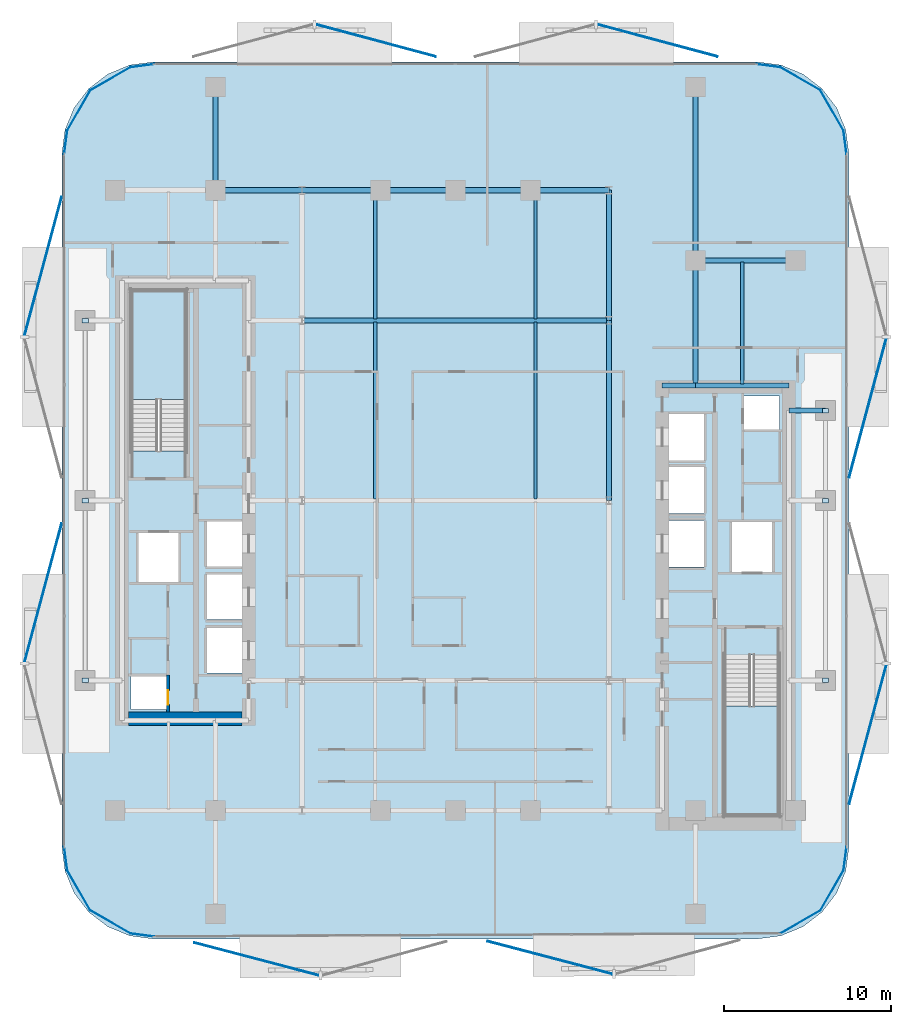
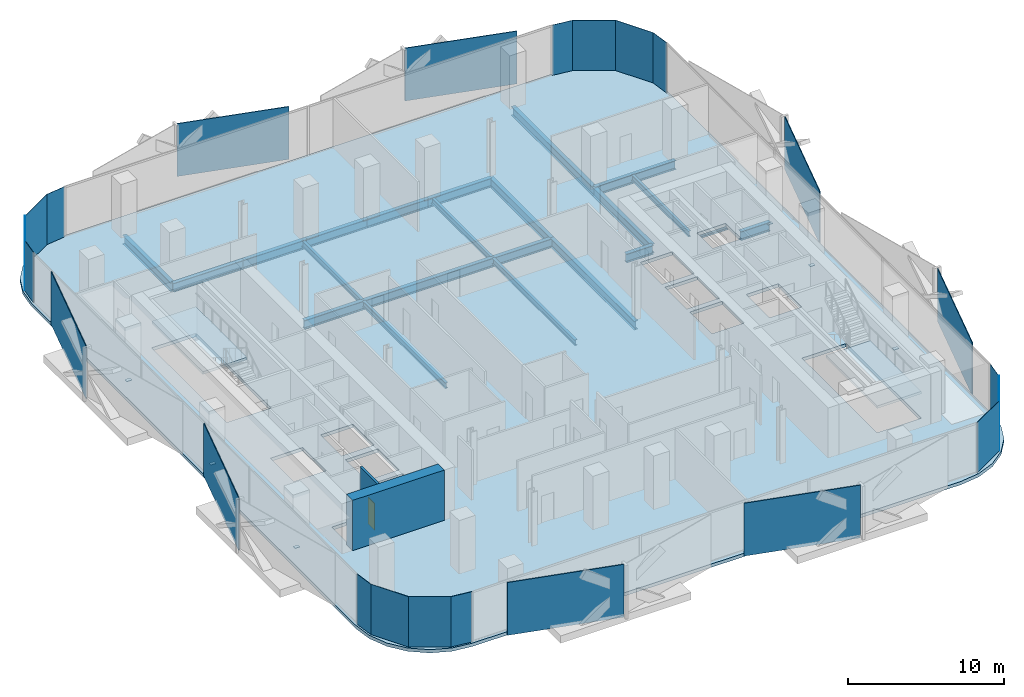
# One storey, part 2 of 16: 29 plates, 20 beams, 3 slabs, 2 walls, 1 door, 1 opening, 2 elements without a shape of their own.
"""IFC4 building model written with IfcOpenShell, lengths in metres."""

from ifc_helpers import new_model, si_unit, direction, frame, frame_2d, origin, origin_2d, place, context, subcontext, project, spatial, polyline, rectangle, i_section, outline, extrude, material, layer, layer_set, material_profile, profile_set, type_object, element, fill, aggregate, save


model = new_model("IFC4")

# Units and contexts
model_context = context("Model", 3, precision=1e-05, world=origin(), true_north=direction((0.0, 1.0)))
body_context = subcontext(model_context, "Body", "Model", "MODEL_VIEW")
ifc_project = project(units=[si_unit("LENGTHUNIT", "METRE"), si_unit("AREAUNIT", "SQUARE_METRE"), si_unit("VOLUMEUNIT", "CUBIC_METRE"), si_unit("PLANEANGLEUNIT", "RADIAN"), si_unit("MASSUNIT", "GRAM", prefix="KILO")], contexts=[model_context])

# Site, building, storey
site_placement = place(None, origin())
site = spatial("IfcSite", under=ifc_project, at=site_placement, CompositionType="ELEMENT")
building_placement = place(site_placement, origin())
building = spatial("IfcBuilding", under=site, at=building_placement, Name="Khairoan Windgate Tower", CompositionType="ELEMENT")
storey_placement = place(building_placement, frame((0.0, 0.0, 97.39990234375)))
storey = spatial("IfcBuildingStorey", under=building, at=storey_placement, Name="L22", CompositionType="ELEMENT", Elevation=97.39990234375)

# Beams
ifc_material_1 = material(Name="Steel S355", Category="steel")
ifc_material_profile_1 = material_profile(ifc_material_1, i_section(OverallWidth=0.300048828125, OverallDepth=0.699951171875, WebThickness=0.012939453125, FlangeThickness=0.02392578125, FilletRadius=0.02587890625, at=origin_2d()))
ifc_profile_set_1 = profile_set([ifc_material_profile_1], Name="Steel S355")
beam_type_1 = type_object("IfcBeamType", Name="Beam B-G3 H700x300x13x24", PredefinedType="BEAM", material=ifc_profile_set_1)
beam_1_placement = place(storey_placement, frame((20.0, 5.39990234375, -0.60986328125), z_axis=(1.0, 0.0, 0.0), x_axis=(0.0, 1.0, 0.0)))
element("IfcBeam", 1, at=beam_1_placement, inside=storey, type_object=beam_type_1, Name="L22 E-W Primary Girder 19", PredefinedType="BEAM", context=body_context, shape_type="SweptSolid", body=[
    extrude(i_section(OverallWidth=0.300048828125, OverallDepth=0.699951171875, WebThickness=0.012939453125, FlangeThickness=0.02392578125, FilletRadius=0.02587890625, at=origin_2d()), origin(), (0.0, 0.0, 1.0), 2.199951171875),
])
beam_2_placement = place(storey_placement, frame((12.39990234375, 6.89990234375, -0.60986328125), z_axis=(1.0, 0.0, 0.0), x_axis=(0.0, 1.0, 0.0)))
element("IfcBeam", 2, at=beam_2_placement, inside=storey, type_object=beam_type_1, Name="L22 E-W Primary Girder 20", PredefinedType="BEAM", context=body_context, shape_type="SweptSolid", body=[
    extrude(i_section(OverallWidth=0.300048828125, OverallDepth=0.699951171875, WebThickness=0.012939453125, FlangeThickness=0.02392578125, FilletRadius=0.02587890625, at=origin_2d()), origin(), (0.0, 0.0, 1.0), 2.0),
])
beam_3_placement = place(storey_placement, frame((14.39990234375, 6.89990234375, -0.60986328125), z_axis=(1.0, 0.0, 0.0), x_axis=(0.0, 1.0, 0.0)))
element("IfcBeam", 3, at=beam_3_placement, inside=storey, type_object=beam_type_1, Name="L22 E-W Primary Girder 21", PredefinedType="BEAM", context=body_context, shape_type="SweptSolid", body=[
    extrude(i_section(OverallWidth=0.300048828125, OverallDepth=0.699951171875, WebThickness=0.012939453125, FlangeThickness=0.02392578125, FilletRadius=0.02587890625, at=origin_2d()), origin(), (0.0, 0.0, 1.0), 5.60009765625),
])
beam_4_placement = place(storey_placement, frame((-9.199951171875, 10.800048828125, -0.60986328125), z_axis=(1.0, 0.0, 0.0), x_axis=(0.0, 1.0, 0.0)))
element("IfcBeam", 4, at=beam_4_placement, inside=storey, type_object=beam_type_1, Name="L22 E-W Primary Girder 24", PredefinedType="BEAM", context=body_context, shape_type="SweptSolid", body=[
    extrude(i_section(OverallWidth=0.300048828125, OverallDepth=0.699951171875, WebThickness=0.012939453125, FlangeThickness=0.02392578125, FilletRadius=0.02587890625, at=origin_2d()), origin(), (0.0, 0.0, 1.0), 18.39990234375),
])
beam_5_placement = place(storey_placement, frame((14.39990234375, 14.39990234375, -0.60986328125), z_axis=(1.0, 0.0, 0.0), x_axis=(0.0, 1.0, 0.0)))
element("IfcBeam", 5, at=beam_5_placement, inside=storey, type_object=beam_type_1, Name="L22 E-W Primary Girder 27", PredefinedType="BEAM", context=body_context, shape_type="SweptSolid", body=[
    extrude(i_section(OverallWidth=0.300048828125, OverallDepth=0.699951171875, WebThickness=0.012939453125, FlangeThickness=0.02392578125, FilletRadius=0.02587890625, at=origin_2d()), origin(), (0.0, 0.0, 1.0), 6.0),
])
beam_6_placement = place(storey_placement, frame((-14.39990234375, 18.60009765625, -0.60986328125), z_axis=(1.0, 0.0, 0.0), x_axis=(0.0, 1.0, 0.0)))
element("IfcBeam", 6, at=beam_6_placement, inside=storey, type_object=beam_type_1, Name="L22 E-W Primary Girder 29", PredefinedType="BEAM", context=body_context, shape_type="SweptSolid", body=[
    extrude(i_section(OverallWidth=0.300048828125, OverallDepth=0.699951171875, WebThickness=0.012939453125, FlangeThickness=0.02392578125, FilletRadius=0.02587890625, at=origin_2d()), origin(), (0.0, 0.0, 1.0), 5.199951171875),
])
beam_7_placement = place(storey_placement, frame((-9.199951171875, 18.60009765625, -0.60986328125), z_axis=(1.0, 0.0, 0.0), x_axis=(0.0, 1.0, 0.0)))
element("IfcBeam", 7, at=beam_7_placement, inside=storey, type_object=beam_type_1, Name="L22 E-W Primary Girder 30", PredefinedType="BEAM", context=body_context, shape_type="SweptSolid", body=[
    extrude(i_section(OverallWidth=0.300048828125, OverallDepth=0.699951171875, WebThickness=0.012939453125, FlangeThickness=0.02392578125, FilletRadius=0.02587890625, at=origin_2d()), origin(), (0.0, 0.0, 1.0), 4.699951171875),
])
for number, where, z_axis, x_axis, name in (
    (8, (-4.5, 18.60009765625, -0.60986328125), (1.0, 0.0, 0.0), (0.0, 1.0, 0.0), "L22 E-W Primary Girder 31"),
    (9, (0.0, 18.60009765625, -0.60986328125), (1.0, 0.0, 0.0), (0.0, 1.0, 0.0), "L22 E-W Primary Girder 32"),
):
    element("IfcBeam", number, at=place(storey_placement, frame(where, z_axis=z_axis, x_axis=x_axis)), inside=storey, type_object=beam_type_1, Name=name, PredefinedType="BEAM", context=body_context, shape_type="SweptSolid", body=[
        extrude(i_section(OverallWidth=0.300048828125, OverallDepth=0.699951171875, WebThickness=0.012939453125, FlangeThickness=0.02392578125, FilletRadius=0.02587890625, at=origin_2d()), origin(), (0.0, 0.0, 1.0), 4.5),
    ])
beam_8_placement = place(storey_placement, frame((4.5, 18.60009765625, -0.60986328125), z_axis=(1.0, 0.0, 0.0), x_axis=(0.0, 1.0, 0.0)))
element("IfcBeam", 10, at=beam_8_placement, inside=storey, type_object=beam_type_1, Name="L22 E-W Primary Girder 33", PredefinedType="BEAM", context=body_context, shape_type="SweptSolid", body=[
    extrude(i_section(OverallWidth=0.300048828125, OverallDepth=0.699951171875, WebThickness=0.012939453125, FlangeThickness=0.02392578125, FilletRadius=0.02587890625, at=origin_2d()), origin(), (0.0, 0.0, 1.0), 4.699951171875),
])
beam_9_placement = place(storey_placement, frame((-14.39990234375, 18.60009765625, -0.60986328125), z_axis=(0.0, 1.0, 0.0), x_axis=(-1.0, 0.0, 0.0)))
element("IfcBeam", 11, at=beam_9_placement, inside=storey, type_object=beam_type_1, Name="L22 N-S Primary Beam 43", PredefinedType="BEAM", context=body_context, shape_type="SweptSolid", body=[
    extrude(i_section(OverallWidth=0.300048828125, OverallDepth=0.699951171875, WebThickness=0.012939453125, FlangeThickness=0.02392578125, FilletRadius=0.02587890625, at=origin_2d()), origin(), (0.0, 0.0, 1.0), 6.199951171875),
])
beam_10_placement = place(storey_placement, frame((9.199951171875, 0.0, -0.60986328125), z_axis=(0.0, 1.0, 0.0), x_axis=(-1.0, 0.0, 0.0)))
element("IfcBeam", 12, at=beam_10_placement, inside=storey, type_object=beam_type_1, Name="L22 N-S Primary Beam 53", PredefinedType="BEAM", context=body_context, shape_type="SweptSolid", body=[
    extrude(i_section(OverallWidth=0.300048828125, OverallDepth=0.699951171875, WebThickness=0.012939453125, FlangeThickness=0.02392578125, FilletRadius=0.02587890625, at=origin_2d()), origin(), (0.0, 0.0, 1.0), 10.800048828125),
])
beam_11_placement = place(storey_placement, frame((9.199951171875, 10.800048828125, -0.60986328125), z_axis=(0.0, 1.0, 0.0), x_axis=(-1.0, 0.0, 0.0)))
element("IfcBeam", 13, at=beam_11_placement, inside=storey, type_object=beam_type_1, Name="L22 N-S Primary Beam 54", PredefinedType="BEAM", context=body_context, shape_type="SweptSolid", body=[
    extrude(i_section(OverallWidth=0.300048828125, OverallDepth=0.699951171875, WebThickness=0.012939453125, FlangeThickness=0.02392578125, FilletRadius=0.02587890625, at=origin_2d()), origin(), (0.0, 0.0, 1.0), 7.800048828125),
])
beam_12_placement = place(storey_placement, frame((14.39990234375, 6.89990234375, -0.60986328125), z_axis=(0.0, 1.0, 0.0), x_axis=(-1.0, 0.0, 0.0)))
element("IfcBeam", 14, at=beam_12_placement, inside=storey, type_object=beam_type_1, Name="L22 N-S Primary Beam 57", PredefinedType="BEAM", context=body_context, shape_type="SweptSolid", body=[
    extrude(i_section(OverallWidth=0.300048828125, OverallDepth=0.699951171875, WebThickness=0.012939453125, FlangeThickness=0.02392578125, FilletRadius=0.02587890625, at=origin_2d()), origin(), (0.0, 0.0, 1.0), 7.5),
])
beam_13_placement = place(storey_placement, frame((14.39990234375, 14.39990234375, -0.60986328125), z_axis=(0.0, 1.0, 0.0), x_axis=(-1.0, 0.0, 0.0)))
element("IfcBeam", 15, at=beam_13_placement, inside=storey, type_object=beam_type_1, Name="L22 N-S Primary Beam 58", PredefinedType="BEAM", context=body_context, shape_type="SweptSolid", body=[
    extrude(i_section(OverallWidth=0.300048828125, OverallDepth=0.699951171875, WebThickness=0.012939453125, FlangeThickness=0.02392578125, FilletRadius=0.02587890625, at=origin_2d()), origin(), (0.0, 0.0, 1.0), 10.400146484375),
])
ifc_material_2 = material(Name="Steel S355", Category="steel")
ifc_material_profile_2 = material_profile(ifc_material_2, i_section(OverallWidth=0.199951171875, OverallDepth=0.449951171875, WebThickness=0.009033203125, FlangeThickness=0.013916015625, FilletRadius=0.01806640625, at=origin_2d()))
ifc_profile_set_2 = profile_set([ifc_material_profile_2], Name="Steel S355")
beam_type_2 = type_object("IfcBeamType", Name="Beam J-S3 H450x200x9x14", PredefinedType="JOIST", material=ifc_profile_set_2)
beam_14_placement = place(storey_placement, frame((-4.800048828125, 0.090087890625, -0.48486328125), z_axis=(0.0, 1.0, 0.0), x_axis=(-1.0, 0.0, 0.0)))
element("IfcBeam", 16, at=beam_14_placement, inside=storey, type_object=beam_type_2, Name="L22 Secondary Floor Joist 05", PredefinedType="JOIST", context=body_context, shape_type="SweptSolid", body=[
    extrude(i_section(OverallWidth=0.199951171875, OverallDepth=0.449951171875, WebThickness=0.009033203125, FlangeThickness=0.013916015625, FilletRadius=0.01806640625, at=origin_2d()), origin(), (0.0, 0.0, 1.0), 10.619873046875),
])
beam_15_placement = place(storey_placement, frame((-4.800048828125, 10.889892578125, -0.48486328125), z_axis=(0.0, 1.0, 0.0), x_axis=(-1.0, 0.0, 0.0)))
element("IfcBeam", 17, at=beam_15_placement, inside=storey, type_object=beam_type_2, Name="L22 Secondary Floor Joist 06", PredefinedType="JOIST", context=body_context, shape_type="SweptSolid", body=[
    extrude(i_section(OverallWidth=0.199951171875, OverallDepth=0.449951171875, WebThickness=0.009033203125, FlangeThickness=0.013916015625, FilletRadius=0.01806640625, at=origin_2d()), origin(), (0.0, 0.0, 1.0), 7.6201171875),
])
beam_16_placement = place(storey_placement, frame((4.800048828125, 0.090087890625, -0.48486328125), z_axis=(0.0, 1.0, 0.0), x_axis=(-1.0, 0.0, 0.0)))
element("IfcBeam", 18, at=beam_16_placement, inside=storey, type_object=beam_type_2, Name="L22 Secondary Floor Joist 09", PredefinedType="JOIST", context=body_context, shape_type="SweptSolid", body=[
    extrude(i_section(OverallWidth=0.199951171875, OverallDepth=0.449951171875, WebThickness=0.009033203125, FlangeThickness=0.013916015625, FilletRadius=0.01806640625, at=origin_2d()), origin(), (0.0, 0.0, 1.0), 10.619873046875),
])
beam_17_placement = place(storey_placement, frame((4.800048828125, 10.889892578125, -0.48486328125), z_axis=(0.0, 1.0, 0.0), x_axis=(-1.0, 0.0, 0.0)))
element("IfcBeam", 19, at=beam_17_placement, inside=storey, type_object=beam_type_2, Name="L22 Secondary Floor Joist 10", PredefinedType="JOIST", context=body_context, shape_type="SweptSolid", body=[
    extrude(i_section(OverallWidth=0.199951171875, OverallDepth=0.449951171875, WebThickness=0.009033203125, FlangeThickness=0.013916015625, FilletRadius=0.01806640625, at=origin_2d()), origin(), (0.0, 0.0, 1.0), 7.6201171875),
])
beam_18_placement = place(storey_placement, frame((17.199951171875, 6.989990234375, -0.48486328125), z_axis=(0.0, 1.0, 0.0), x_axis=(-1.0, 0.0, 0.0)))
element("IfcBeam", 20, at=beam_18_placement, inside=storey, type_object=beam_type_2, Name="L22 Secondary Floor Joist 11", PredefinedType="JOIST", context=body_context, shape_type="SweptSolid", body=[
    extrude(i_section(OverallWidth=0.199951171875, OverallDepth=0.449951171875, WebThickness=0.009033203125, FlangeThickness=0.013916015625, FilletRadius=0.01806640625, at=origin_2d()), origin(), (0.0, 0.0, 1.0), 7.320068359375),
])

# Plates
ifc_material_3 = material(Name="Low-E Solar Control Laminated Glass", Category="glass")
ifc_layer_1 = layer(ifc_material_3, 0.030029296875, Name="Low-E Solar Control Laminated Glass")
ifc_layer_set_1 = layer_set([ifc_layer_1], Name="Low-E Solar Control Laminated Glass")
plate_type_1 = type_object("IfcPlateType", Name="Aerodynamic Wind-Corner Curved Glazing Plate", PredefinedType="USERDEFINED", material=ifc_layer_set_1)
plate_placement = place(storey_placement, frame((-18.788818359375, -26.068115234375, 0.000244140625), z_axis=(0.0, 0.0, 1.0), x_axis=(-0.991444861374, 0.13052619222, 0.0)))
element("IfcPlate", 21, at=plate_placement, inside=storey, type_object=plate_type_1, Name="L22 Aerodynamic Wind-Corner Curved Glazing Panel 2", ObjectType="GLAZING PANEL", PredefinedType="USERDEFINED", context=body_context, shape_type="SweptSolid", body=[
    extrude(rectangle(XDim=1.4482421875, YDim=0.028076171875, at=origin_2d()), origin(), (0.0, 0.0, 1.0), 3.93994140625),
])
for number, where, z_axis, x_axis, name in (
    (22, (-20.688232421875, -25.28271484375, 0.000244140625), (0.0, 0.0, 1.0), (-0.866025403784, 0.5, 0.0), "L22 Aerodynamic Wind-Corner Curved Glazing Panel 3"),
    (23, (-22.582763671875, -23.38818359375, 0.000244140625), (0.0, 0.0, 1.0), (-0.5, 0.866025403784, 0.0), "L22 Aerodynamic Wind-Corner Curved Glazing Panel 4"),
):
    element("IfcPlate", number, at=place(storey_placement, frame(where, z_axis=z_axis, x_axis=x_axis)), inside=storey, type_object=plate_type_1, Name=name, ObjectType="GLAZING PANEL", PredefinedType="USERDEFINED", context=body_context, shape_type="SweptSolid", body=[
        extrude(rectangle(XDim=2.81396484375, YDim=0.028076171875, at=origin_2d()), origin(), (0.0, 0.0, 1.0), 3.93994140625),
    ])
for number, where, z_axis, x_axis, name in (
    (24, (-23.3681640625, -21.489013671875, 0.000244140625), (0.0, 0.0, 1.0), (-0.13052619222, 0.991444861374, 0.0), "L22 Aerodynamic Wind-Corner Curved Glazing Panel 5"),
    (25, (-23.3681640625, 21.489013671875, 0.000244140625), (0.0, 0.0, 1.0), (0.13052619222, 0.991444861374, 0.0), "L22 Aerodynamic Wind-Corner Curved Glazing Panel 7"),
):
    element("IfcPlate", number, at=place(storey_placement, frame(where, z_axis=z_axis, x_axis=x_axis)), inside=storey, type_object=plate_type_1, Name=name, ObjectType="GLAZING PANEL", PredefinedType="USERDEFINED", context=body_context, shape_type="SweptSolid", body=[
        extrude(rectangle(XDim=1.4482421875, YDim=0.028076171875, at=origin_2d()), origin(), (0.0, 0.0, 1.0), 3.93994140625),
    ])
for number, where, z_axis, x_axis, name in (
    (26, (-22.582763671875, 23.38818359375, 0.000244140625), (0.0, 0.0, 1.0), (0.5, 0.866025403784, 0.0), "L22 Aerodynamic Wind-Corner Curved Glazing Panel 8"),
    (27, (-20.688232421875, 25.28271484375, 0.000244140625), (0.0, 0.0, 1.0), (0.866025403784, 0.5, 0.0), "L22 Aerodynamic Wind-Corner Curved Glazing Panel 9"),
):
    element("IfcPlate", number, at=place(storey_placement, frame(where, z_axis=z_axis, x_axis=x_axis)), inside=storey, type_object=plate_type_1, Name=name, ObjectType="GLAZING PANEL", PredefinedType="USERDEFINED", context=body_context, shape_type="SweptSolid", body=[
        extrude(rectangle(XDim=2.81396484375, YDim=0.028076171875, at=origin_2d()), origin(), (0.0, 0.0, 1.0), 3.93994140625),
    ])
for number, where, z_axis, x_axis, name in (
    (28, (-18.788818359375, 26.068115234375, 0.000244140625), (0.0, 0.0, 1.0), (0.991444861374, 0.13052619222, 0.0), "L22 Aerodynamic Wind-Corner Curved Glazing Panel 10"),
    (29, (18.788818359375, 26.068115234375, 0.000244140625), (0.0, 0.0, 1.0), (0.991444861374, -0.13052619222, 0.0), "L22 Aerodynamic Wind-Corner Curved Glazing Panel 12"),
):
    element("IfcPlate", number, at=place(storey_placement, frame(where, z_axis=z_axis, x_axis=x_axis)), inside=storey, type_object=plate_type_1, Name=name, ObjectType="GLAZING PANEL", PredefinedType="USERDEFINED", context=body_context, shape_type="SweptSolid", body=[
        extrude(rectangle(XDim=1.4482421875, YDim=0.028076171875, at=origin_2d()), origin(), (0.0, 0.0, 1.0), 3.93994140625),
    ])
for number, where, z_axis, x_axis, name in (
    (30, (20.688232421875, 25.28271484375, 0.000244140625), (0.0, 0.0, 1.0), (0.866025403784, -0.5, 0.0), "L22 Aerodynamic Wind-Corner Curved Glazing Panel 13"),
    (31, (22.582763671875, 23.38818359375, 0.000244140625), (0.0, 0.0, 1.0), (0.5, -0.866025403784, 0.0), "L22 Aerodynamic Wind-Corner Curved Glazing Panel 14"),
):
    element("IfcPlate", number, at=place(storey_placement, frame(where, z_axis=z_axis, x_axis=x_axis)), inside=storey, type_object=plate_type_1, Name=name, ObjectType="GLAZING PANEL", PredefinedType="USERDEFINED", context=body_context, shape_type="SweptSolid", body=[
        extrude(rectangle(XDim=2.81396484375, YDim=0.028076171875, at=origin_2d()), origin(), (0.0, 0.0, 1.0), 3.93994140625),
    ])
for number, where, z_axis, x_axis, name in (
    (32, (23.3681640625, 21.489013671875, 0.000244140625), (0.0, 0.0, 1.0), (0.13052619222, -0.991444861374, 0.0), "L22 Aerodynamic Wind-Corner Curved Glazing Panel 15"),
    (33, (23.3681640625, -21.489013671875, 0.000244140625), (0.0, 0.0, 1.0), (-0.13052619222, -0.991444861374, 0.0), "L22 Aerodynamic Wind-Corner Curved Glazing Panel 17"),
):
    element("IfcPlate", number, at=place(storey_placement, frame(where, z_axis=z_axis, x_axis=x_axis)), inside=storey, type_object=plate_type_1, Name=name, ObjectType="GLAZING PANEL", PredefinedType="USERDEFINED", context=body_context, shape_type="SweptSolid", body=[
        extrude(rectangle(XDim=1.4482421875, YDim=0.028076171875, at=origin_2d()), origin(), (0.0, 0.0, 1.0), 3.93994140625),
    ])
for number, where, z_axis, x_axis, name in (
    (34, (22.582763671875, -23.38818359375, 0.000244140625), (0.0, 0.0, 1.0), (-0.5, -0.866025403784, 0.0), "L22 Aerodynamic Wind-Corner Curved Glazing Panel 18"),
    (35, (20.688232421875, -25.28271484375, 0.000244140625), (0.0, 0.0, 1.0), (-0.866025403784, -0.5, 0.0), "L22 Aerodynamic Wind-Corner Curved Glazing Panel 19"),
):
    element("IfcPlate", number, at=place(storey_placement, frame(where, z_axis=z_axis, x_axis=x_axis)), inside=storey, type_object=plate_type_1, Name=name, ObjectType="GLAZING PANEL", PredefinedType="USERDEFINED", context=body_context, shape_type="SweptSolid", body=[
        extrude(rectangle(XDim=2.81396484375, YDim=0.028076171875, at=origin_2d()), origin(), (0.0, 0.0, 1.0), 3.93994140625),
    ])
ifc_material_4 = material(Name="Steel S355", Category="steel")
ifc_layer_2 = layer(ifc_material_4, 0.0400390625, Name="Steel S355")
ifc_layer_set_2 = layer_set([ifc_layer_2], Name="Steel S355")
plate_type_2 = type_object("IfcPlateType", Name="Hollow Section End-Cap Plate PL-CAP40", PredefinedType="SHEET", material=ifc_layer_set_2)
for number, where, z_axis, x_axis, name in (
    (36, (-22.199951171875, -10.784912109375, -0.454833984375), (0.0, 0.0, 1.0), (0.0, 1.0, 0.0), "BM-SP-L22-034 steel end-cap plate 1"),
    (37, (-22.199951171875, -0.014892578125, -0.454833984375), (0.0, 0.0, 1.0), (0.0, 1.0, 0.0), "BM-SP-L22-034 steel end-cap plate 2"),
    (38, (-22.199951171875, 10.784912109375, -0.454833984375), (0.0, 0.0, 1.0), (0.0, 1.0, 0.0), "BM-SP-L22-035 steel end-cap plate 2"),
    (39, (22.199951171875, -10.784912109375, -0.454833984375), (0.0, 0.0, 1.0), (0.0, 1.0, 0.0), "BM-SP-L22-062 steel end-cap plate 1"),
    (40, (22.199951171875, -0.014892578125, -0.454833984375), (0.0, 0.0, 1.0), (0.0, 1.0, 0.0), "BM-SP-L22-062 steel end-cap plate 2"),
    (41, (22.199951171875, 5.385009765625, -0.454833984375), (0.0, 0.0, 1.0), (0.0, 1.0, 0.0), "BM-SP-L22-063 steel end-cap plate 2"),
):
    element("IfcPlate", number, at=place(storey_placement, frame(where, z_axis=z_axis, x_axis=x_axis)), inside=storey, type_object=plate_type_2, Name=name, PredefinedType="SHEET", context=body_context, shape_type="SweptSolid", body=[
        extrude(rectangle(XDim=0.27001953125, YDim=0.3701171875, at=origin_2d()), origin(), (0.0, 0.0, 1.0), 0.0400390625),
    ])
ifc_material_5 = material(Name="Anodised Bronze Aluminium 6063-T6", Category="aluminium")
ifc_layer_3 = layer(ifc_material_5, 0.054931640625, Name="Anodised Bronze Aluminium 6063-T6")
ifc_layer_set_3 = layer_set([ifc_layer_3], Name="Anodised Bronze Aluminium 6063-T6")
plate_type_3 = type_object("IfcPlateType", Name="Perforated Bronze Solar Screen Panel BSP-1", PredefinedType="USERDEFINED", material=ifc_layer_set_3)
for number, where, z_axis, x_axis, name in (
    (42, (5.671630859375, -27.42236328125, -0.099609375), (0.0, 0.0, 1.0), (-0.967179115616, 0.254095569259, 0.0), "L22 Perforated Bronze Solar Screen Panel 121R"),
    (43, (-11.917236328125, -27.50830078125, -0.099609375), (0.0, 0.0, 1.0), (-0.967179115616, 0.254095569259, 0.0), "L22 Perforated Bronze Solar Screen Panel 122R"),
):
    element("IfcPlate", number, at=place(storey_placement, frame(where, z_axis=z_axis, x_axis=x_axis)), inside=storey, type_object=plate_type_3, Name=name, ObjectType="SCREEN", PredefinedType="USERDEFINED", context=body_context, shape_type="SweptSolid", body=[
        extrude(rectangle(XDim=7.739013671875, YDim=0.054931640625, at=origin_2d()), origin(), (0.0, 0.0, 1.0), 4.139892578125),
    ])
for number, where, z_axis, x_axis, name in (
    (44, (-24.724609375, -5.542236328125, -0.099609375), (0.0, 0.0, 1.0), (0.258819045103, 0.965925826289, 0.0), "L22 Perforated Bronze Solar Screen Panel 123R"),
    (45, (-24.724609375, 14.048583984375, -0.099609375), (0.0, 0.0, 1.0), (0.258819045103, 0.965925826289, 0.0), "L22 Perforated Bronze Solar Screen Panel 124R"),
):
    element("IfcPlate", number, at=place(storey_placement, frame(where, z_axis=z_axis, x_axis=x_axis)), inside=storey, type_object=plate_type_3, Name=name, ObjectType="SCREEN", PredefinedType="USERDEFINED", context=body_context, shape_type="SweptSolid", body=[
        extrude(rectangle(XDim=8.6201171875, YDim=0.054931640625, at=origin_2d()), origin(), (0.0, 0.0, 1.0), 4.139892578125),
    ])
for number, where, z_axis, x_axis, name in (
    (46, (-4.76611328125, 27.578125, -0.099609375), (0.0, 0.0, 1.0), (0.965925826289, -0.258819045103, 0.0), "L22 Perforated Bronze Solar Screen Panel 125R"),
    (47, (12.124755859375, 27.578125, -0.099609375), (0.0, 0.0, 1.0), (0.965925826289, -0.258819045103, 0.0), "L22 Perforated Bronze Solar Screen Panel 126R"),
):
    element("IfcPlate", number, at=place(storey_placement, frame(where, z_axis=z_axis, x_axis=x_axis)), inside=storey, type_object=plate_type_3, Name=name, ObjectType="SCREEN", PredefinedType="USERDEFINED", context=body_context, shape_type="SweptSolid", body=[
        extrude(rectangle(XDim=7.431884765625, YDim=0.054931640625, at=origin_2d()), origin(), (0.0, 0.0, 1.0), 4.139892578125),
    ])
for number, where, z_axis, x_axis, name in (
    (48, (24.724609375, 5.542236328125, -0.099609375), (0.0, 0.0, 1.0), (-0.258819045103, -0.965925826289, 0.0), "L22 Perforated Bronze Solar Screen Panel 127R"),
    (49, (24.724609375, -14.048583984375, -0.099609375), (0.0, 0.0, 1.0), (-0.258819045103, -0.965925826289, 0.0), "L22 Perforated Bronze Solar Screen Panel 128R"),
):
    element("IfcPlate", number, at=place(storey_placement, frame(where, z_axis=z_axis, x_axis=x_axis)), inside=storey, type_object=plate_type_3, Name=name, ObjectType="SCREEN", PredefinedType="USERDEFINED", context=body_context, shape_type="SweptSolid", body=[
        extrude(rectangle(XDim=8.6201171875, YDim=0.054931640625, at=origin_2d()), origin(), (0.0, 0.0, 1.0), 4.139892578125),
    ])

# Stair, slab
ifc_material_6 = material(Name="Concrete C40/50", Category="concrete")
stair_type = type_object("IfcStairType", Name="Tower Core Dog-Leg Stair ST-T1 1560mm", PredefinedType="HALF_TURN_STAIR", material=ifc_material_6)
stair_1_placement = place(storey_placement, origin())
stair_1 = element("IfcStair", 50, at=stair_1_placement, inside=storey, type_object=stair_type, Name="L22 Stair ST1", PredefinedType="HALF_TURN_STAIR")
ifc_material_7 = material(Name="Concrete C40/50", Category="concrete")
ifc_layer_4 = layer(ifc_material_7, 0.199951171875, Name="Concrete C40/50")
ifc_layer_set_4 = layer_set([ifc_layer_4], Name="Concrete C40/50")
slab_type_1 = type_object("IfcSlabType", Name="Reinforced Concrete Stair Landing Slab STL-200", PredefinedType="LANDING", material=ifc_layer_set_4)
slab_1_placement = place(storey_placement, frame((0.0, 0.0, 1.900146484375)))
slab_1 = element("IfcSlab", 51, at=slab_1_placement, type_object=slab_type_1, Name="ST1 landing 1", PredefinedType="LANDING", context=body_context, shape_type="SweptSolid", body=[
    extrude(outline(polyline([(16.14990234375, -12.340087890625), (16.14990234375, -18.89990234375), (19.419921875, -18.89990234375), (19.419921875, -12.340087890625), (16.14990234375, -12.340087890625)])), origin(), (0.0, 0.0, 1.0), 0.199951171875),
])
aggregate(stair_1, [slab_1])

stair_2_placement = place(storey_placement, origin())
stair_2 = element("IfcStair", 52, at=stair_2_placement, inside=storey, type_object=stair_type, Name="L22 Stair ST2", PredefinedType="HALF_TURN_STAIR")
slab_2_placement = place(storey_placement, frame((0.0, 0.0, 1.900146484375)))
slab_2 = element("IfcSlab", 53, at=slab_2_placement, type_object=slab_type_1, Name="ST2 landing 1", PredefinedType="LANDING", context=body_context, shape_type="SweptSolid", body=[
    extrude(outline(polyline([(-16.14990234375, 6.0400390625), (-16.14990234375, 12.60009765625), (-19.419921875, 12.60009765625), (-19.419921875, 6.0400390625), (-16.14990234375, 6.0400390625)])), origin(), (0.0, 0.0, 1.0), 0.199951171875),
])
aggregate(stair_2, [slab_2])

# Slab
ifc_material_8 = material(Name="Concrete C40/50", Category="concrete")
ifc_layer_5 = layer(ifc_material_8, 0.260009765625, Name="Concrete C40/50")
ifc_layer_set_5 = layer_set([ifc_layer_5], Name="Concrete C40/50")
slab_type_2 = type_object("IfcSlabType", Name="Tower Composite Floor Slab FS2 260mm", PredefinedType="FLOOR", material=ifc_layer_set_5)
slab_3_placement = place(storey_placement, frame((0.0, 0.0, -0.260009765625)))
element("IfcSlab", 54, at=slab_3_placement, inside=storey, type_object=slab_type_2, Name="L22 Structural Floor Slab", PredefinedType="FLOOR", context=body_context, shape_type="SweptSolid", body=[
    extrude(outline(polyline([(18.10009765625, -26.300048828125), (19.5234375, -26.112548828125), (20.85009765625, -25.56298828125), (21.989013671875, -24.689208984375), (22.863037109375, -23.550048828125), (23.41259765625, -22.223388671875), (23.60009765625, -20.800048828125), (23.60009765625, 20.800048828125), (23.41259765625, 22.223388671875), (22.863037109375, 23.550048828125), (21.989013671875, 24.689208984375), (20.85009765625, 25.56298828125), (19.5234375, 26.112548828125), (18.10009765625, 26.300048828125), (-18.10009765625, 26.300048828125), (-19.5234375, 26.112548828125), (-20.85009765625, 25.56298828125), (-21.989013671875, 24.689208984375), (-22.863037109375, 23.550048828125), (-23.41259765625, 22.223388671875), (-23.60009765625, 20.800048828125), (-23.60009765625, -20.800048828125), (-23.41259765625, -22.223388671875), (-22.863037109375, -23.550048828125), (-21.989013671875, -24.689208984375), (-20.85009765625, -25.56298828125), (-19.5234375, -26.112548828125), (-18.10009765625, -26.300048828125), (18.10009765625, -26.300048828125)]), holes=[polyline([(16.14990234375, -9.260009765625), (16.14990234375, -18.89990234375), (19.419921875, -18.89990234375), (19.419921875, -9.260009765625), (16.14990234375, -9.260009765625)]), polyline([(-16.14990234375, 2.9599609375), (-16.14990234375, 12.60009765625), (-19.419921875, 12.60009765625), (-19.419921875, 2.9599609375), (-16.14990234375, 2.9599609375)]), polyline([(-14.89990234375, -3.949951171875), (-12.5, -3.949951171875), (-12.5, -1.25), (-14.89990234375, -1.25), (-14.89990234375, -3.949951171875)]), polyline([(-14.89990234375, -7.14990234375), (-12.5, -7.14990234375), (-12.5, -4.449951171875), (-14.89990234375, -4.449951171875), (-14.89990234375, -7.14990234375)]), polyline([(-14.89990234375, -10.35009765625), (-12.5, -10.35009765625), (-12.5, -7.64990234375), (-14.89990234375, -7.64990234375), (-14.89990234375, -10.35009765625)]), polyline([(12.5, 2.39990234375), (14.89990234375, 2.39990234375), (14.89990234375, 5.199951171875), (12.5, 5.199951171875), (12.5, 2.39990234375)]), polyline([(12.5, -0.800048828125), (14.89990234375, -0.800048828125), (14.89990234375, 2.0), (12.5, 2.0), (12.5, -0.800048828125)]), polyline([(12.5, -4.0), (14.89990234375, -4.0), (14.89990234375, -1.199951171875), (12.5, -1.199951171875), (12.5, -4.0)]), polyline([(16.60009765625, -4.300048828125), (19.0, -4.300048828125), (19.0, -1.300048828125), (16.60009765625, -1.300048828125), (16.60009765625, -4.300048828125)]), polyline([(-19.0, -4.89990234375), (-16.60009765625, -4.89990234375), (-16.60009765625, -1.89990234375), (-19.0, -1.89990234375), (-19.0, -4.89990234375)]), polyline([(-19.449951171875, -12.550048828125), (-17.31005859375, -12.550048828125), (-17.31005859375, -10.550048828125), (-19.449951171875, -10.550048828125), (-19.449951171875, -12.550048828125)]), polyline([(17.31005859375, 4.25), (19.449951171875, 4.25), (19.449951171875, 6.25), (17.31005859375, 6.25), (17.31005859375, 4.25)])]), origin(), (0.0, 0.0, 1.0), 0.260009765625),
])

# Wall, opening, door
ifc_material_9 = material(Name="Concrete C40/50", Category="concrete")
ifc_layer_6 = layer(ifc_material_9, 0.159912109375, Name="Concrete C40/50")
ifc_layer_set_6 = layer_set([ifc_layer_6], Name="Concrete C40/50")
wall_type_1 = type_object("IfcWallType", Name="Plant and Refuge Compartment Wall", PredefinedType="PARTITIONING", material=ifc_layer_set_6)
wall_1_placement = place(storey_placement, frame((-17.22998046875, -12.699951171875, 0.0), z_axis=(0.0, 0.0, 1.0), x_axis=(0.0, 1.0, 0.0)))
wall_1 = element("IfcWall", 55, at=wall_1_placement, inside=storey, type_object=wall_type_1, Name="L22 Interior Partition 001", PredefinedType="PARTITIONING", context=body_context, shape_type="SweptSolid", body=[
    extrude(rectangle(XDim=2.22998046875, YDim=0.159912109375, at=frame_2d((1.114990234375, 0.0))), origin(), (0.0, 0.0, 1.0), 3.940185546875),
])
opening_placement = place(wall_1_placement, frame((0.4599609375, 0.0, 0.0)))
opening = element("IfcOpeningElement", 56, at=opening_placement, cuts=wall_1, Name="Opening FD-SRV", PredefinedType="OPENING", context=body_context, shape_type="SweptSolid", body=[
    extrude(rectangle(XDim=0.85009765625, YDim=2.10009765625, at=frame_2d((0.425048828125, 1.050048828125))), frame((0.0, 0.08984375, 0.0), z_axis=(0.0, -1.0, 0.0), x_axis=(1.0, 0.0, 0.0)), (0.0, 0.0, 1.0), 0.179931640625),
])
ifc_material_10 = material(Name="Steel S355", Category="steel")
door_type = type_object("IfcDoorType", Name="Core Service and Riser Fire Door FD-SRV 850x2100", OperationType="NOTDEFINED", PredefinedType="DOOR", material=ifc_material_10)
door_placement = place(opening_placement, origin())
door = element("IfcDoor", 57, at=door_placement, inside=storey, type_object=door_type, Name="L22 L22-04-L22-05 Door", OperationType="SINGLE_SWING_RIGHT", OverallHeight=2.10009765625, OverallWidth=0.85009765625, PredefinedType="DOOR", context=body_context, shape_type="SweptSolid", body=[
    extrude(rectangle(XDim=0.85009765625, YDim=2.10009765625, at=frame_2d((0.425048828125, 1.050048828125))), frame((0.0, 0.02490234375, 0.0), z_axis=(0.0, -1.0, 0.0), x_axis=(1.0, 0.0, 0.0)), (0.0, 0.0, 1.0), 0.050048828125),
])
fill(opening, door)

# Wall
ifc_material_11 = material(Name="Concrete C70/85", Category="concrete")
ifc_layer_7 = layer(ifc_material_11, 0.800048828125, Name="Concrete C70/85")
ifc_layer_set_7 = layer_set([ifc_layer_7], Name="Concrete C70/85")
wall_type_2 = type_object("IfcWallType", Name="Shear Wall CW-W1 800mm", PredefinedType="SHEAR", material=ifc_layer_set_7)
wall_2_placement = place(storey_placement, frame((-19.60009765625, -13.10009765625, 0.0), z_axis=(0.0, 0.0, 1.0), x_axis=(1.0, 0.0, 0.0)))
element("IfcWall", 58, at=wall_2_placement, inside=storey, type_object=wall_type_2, Name="W Core South Shear Wall L22", PredefinedType="SHEAR", context=body_context, shape_type="SweptSolid", body=[
    extrude(rectangle(XDim=6.800048828125, YDim=0.800048828125, at=frame_2d((3.39990234375, 0.0))), origin(), (0.0, 0.0, 1.0), 3.940185546875),
])

save(model, "model.ifc")
